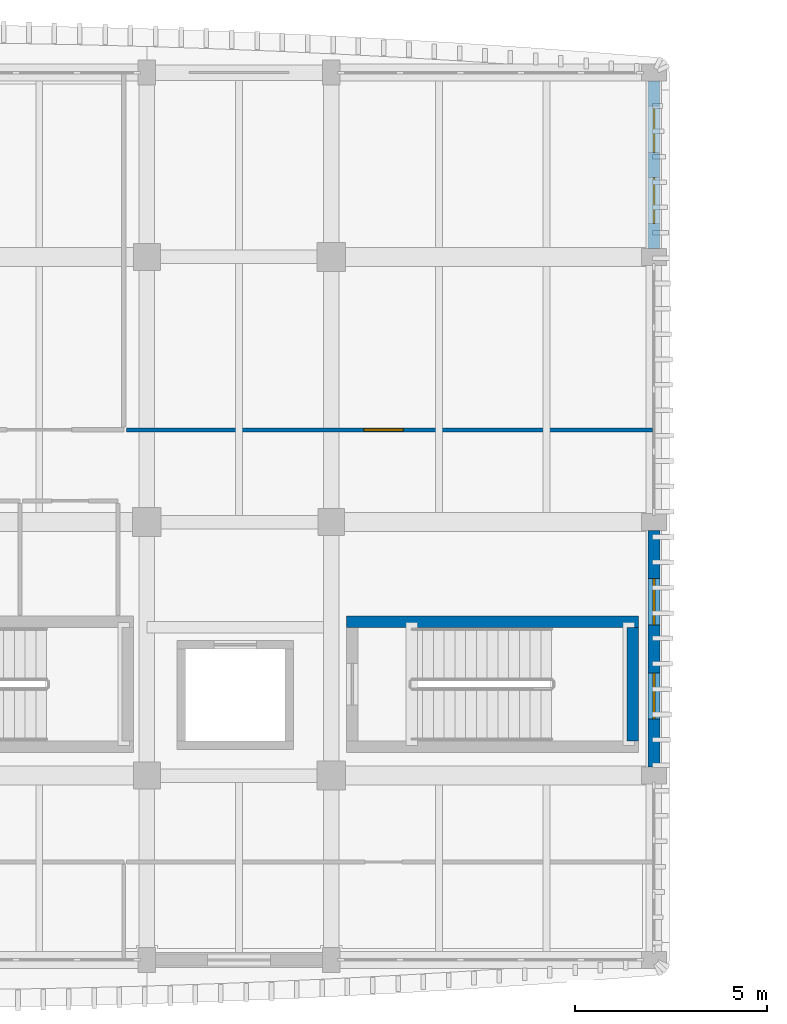
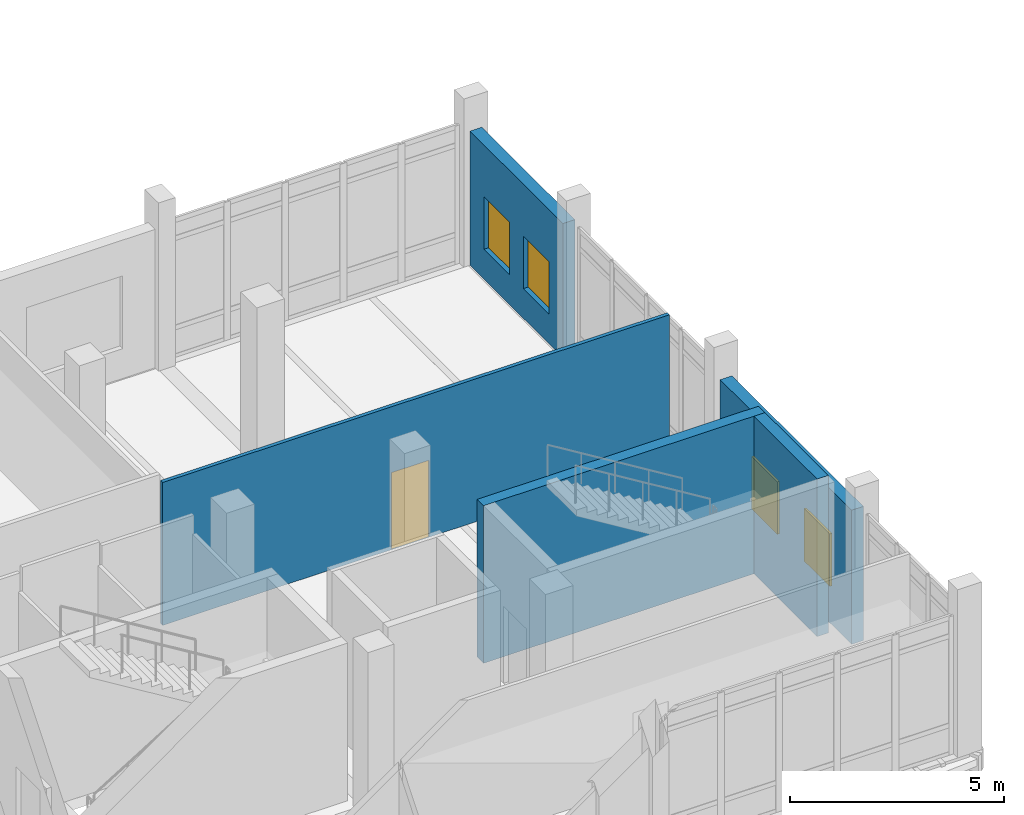
# One storey, part 22 of 39: 5 walls, 4 windows, 1 door, 5 openings.
"""IFC4 building model written with IfcOpenShell, lengths in metres."""

from ifc_helpers import new_model, si_unit, direction, frame, frame_2d, origin, place, context, subcontext, project, spatial, rectangle, extrude, material, layer, layer_set, type_object, element, fill, save


model = new_model("IFC4")

# Units and contexts
model_context = context("Model", 3, precision=1e-05, world=origin(), true_north=direction((0.0, 1.0)))
body_context = subcontext(model_context, "Body", "Model", "MODEL_VIEW")
ifc_project = project(units=[si_unit("LENGTHUNIT", "METRE"), si_unit("AREAUNIT", "SQUARE_METRE"), si_unit("VOLUMEUNIT", "CUBIC_METRE"), si_unit("PLANEANGLEUNIT", "RADIAN"), si_unit("MASSUNIT", "GRAM", prefix="KILO")], contexts=[model_context])

# Site, building, storey
site_placement = place(None, origin())
site = spatial("IfcSite", under=ifc_project, at=site_placement, CompositionType="ELEMENT")
building_placement = place(site_placement, origin())
building = spatial("IfcBuilding", under=site, at=building_placement, Name="Dornvale Research Institute", CompositionType="ELEMENT")
storey_placement = place(building_placement, frame((0.0, 0.0, 24.60009765625)))
storey = spatial("IfcBuildingStorey", under=building, at=storey_placement, Name="L05", CompositionType="ELEMENT", Elevation=24.60009765625)

# Wall, opening, door
ifc_material_1 = material(Name="Acoustic Insulated Double-Stud Laboratory Partition")
ifc_layer_1 = layer(ifc_material_1, 0.10009765625)
ifc_layer_set_1 = layer_set([ifc_layer_1], Name="Acoustic Insulated Double-Stud Laboratory Partition")
wall_type_1 = type_object("IfcWallType", Name="Partition_Office_100", PredefinedType="PARTITIONING", material=ifc_layer_set_1)
wall_1_placement = place(storey_placement, frame((27.675048828125, 112.800048828125, 0.0), z_axis=(0.0, 0.0, 1.0), x_axis=(1.0, 0.0, 0.0)))
wall_1 = element("IfcWall", 1, at=wall_1_placement, inside=storey, type_object=wall_type_1, Name="L05 V5 interior partition #466", PredefinedType="PARTITIONING", context=body_context, shape_type="SweptSolid", body=[
    extrude(rectangle(XDim=13.68505859375, YDim=0.10009765625, at=frame_2d((6.842529296875, 0.0))), origin(), (0.0, 0.0, 1.0), 4.079833984375),
])
opening_1_placement = place(wall_1_placement, frame((6.175048828125, 0.0, 0.0)))
opening_1 = element("IfcOpeningElement", 2, at=opening_1_placement, cuts=wall_1, Name="Opening ID-20", PredefinedType="OPENING", context=body_context, shape_type="SweptSolid", body=[
    extrude(rectangle(XDim=1.02001953125, YDim=2.199951171875, at=frame_2d((0.510009765625, 1.10009765625))), frame((0.0, 0.06494140625, 0.0), z_axis=(0.0, -1.0, 0.0), x_axis=(1.0, 0.0, 0.0)), (0.0, 0.0, 1.0), 0.130126953125),
])
ifc_material_2 = material(Name="Phenolic-Faced Solid-Core Laboratory Door Assembly")
door_type = type_object("IfcDoorType", Name="Door_WriteUp_1020x2200", OperationType="SINGLE_SWING_LEFT", PredefinedType="DOOR", material=ifc_material_2)
door_placement = place(opening_1_placement, origin())
door = element("IfcDoor", 3, at=door_placement, inside=storey, type_object=door_type, Name="L05 Researcher Write-Up Studio L05 door #190", OperationType="SINGLE_SWING_LEFT", OverallHeight=2.199951171875, OverallWidth=1.02001953125, PredefinedType="DOOR", context=body_context, shape_type="SweptSolid", body=[
    extrude(rectangle(XDim=1.02001953125, YDim=2.199951171875, at=frame_2d((0.510009765625, 1.10009765625))), frame((0.0, 0.02490234375, 0.0), z_axis=(0.0, -1.0, 0.0), x_axis=(1.0, 0.0, 0.0)), (0.0, 0.0, 1.0), 0.050048828125),
])
fill(opening_1, door)

# Walls
ifc_material_3 = material(Name="Concrete f'c 50 MPa (C40/50)", Category="concrete")
ifc_layer_2 = layer(ifc_material_3, 0.300048828125)
ifc_layer_set_2 = layer_set([ifc_layer_2], Name="Concrete f'c 50 MPa (C40/50)")
wall_type_2 = type_object("IfcWallType", Name="ShearWall_Core_300", PredefinedType="SHEAR", material=ifc_layer_set_2)
wall_2_placement = place(storey_placement, frame((33.39990234375, 107.81005859375, 0.0), z_axis=(0.0, 0.0, 1.0), x_axis=(1.0, 0.0, 0.0)))
element("IfcWall", 4, at=wall_2_placement, inside=storey, type_object=wall_type_2, Name="L05 ST-2 shaft shear wall north", PredefinedType="SHEAR", context=body_context, shape_type="SweptSolid", body=[
    extrude(rectangle(XDim=7.60009765625, YDim=0.300048828125, at=frame_2d((3.800048828125, 0.0))), origin(), (0.0, 0.0, 1.0), 4.5),
])
wall_3_placement = place(storey_placement, frame((40.85009765625, 104.699951171875, 0.0), z_axis=(0.0, 0.0, 1.0), x_axis=(0.0, 1.0, 0.0)))
element("IfcWall", 5, at=wall_3_placement, inside=storey, type_object=wall_type_2, Name="L05 ST-2 shaft shear wall east", PredefinedType="SHEAR", context=body_context, shape_type="SweptSolid", body=[
    extrude(rectangle(XDim=2.9599609375, YDim=0.300048828125, at=frame_2d((1.47998046875, 0.0))), origin(), (0.0, 0.0, 1.0), 4.5),
])

# Wall, openings, windows
ifc_material_4 = material(Name="Catalan Pressed Brick and Insulated Cavity Assembly", Category="masonry")
ifc_layer_3 = layer(ifc_material_4, 0.320068359375)
ifc_layer_set_3 = layer_set([ifc_layer_3], Name="Catalan Pressed Brick and Insulated Cavity Assembly")
wall_type_3 = type_object("IfcWallType", Name="StandardWall_BrickCavity_320", PredefinedType="STANDARD", material=ifc_layer_set_3)
wall_4_placement = place(storey_placement, frame((41.39990234375, 121.875, 0.0), z_axis=(0.0, 0.0, 1.0), x_axis=(0.0, -1.0, 0.0)))
wall_4 = element("IfcWall", 6, at=wall_4_placement, inside=storey, type_object=wall_type_3, Name="L05 V5 east exterior wall #364", PredefinedType="STANDARD", context=body_context, shape_type="SweptSolid", body=[
    extrude(rectangle(XDim=4.35009765625, YDim=0.320068359375, at=frame_2d((2.175048828125, 0.0))), origin(), (0.0, 0.0, 1.0), 3.829833984375),
])
opening_2_placement = place(wall_4_placement, frame((0.64990234375, 0.0, 0.85009765625)))
opening_2 = element("IfcOpeningElement", 7, at=opening_2_placement, cuts=wall_4, Name="Opening W-01", PredefinedType="OPENING", context=body_context, shape_type="SweptSolid", body=[
    extrude(rectangle(XDim=1.199951171875, YDim=1.5, at=frame_2d((0.60009765625, 0.75))), frame((0.0, 0.175048828125, 0.0), z_axis=(0.0, -1.0, 0.0), x_axis=(1.0, 0.0, 0.0)), (0.0, 0.0, 1.0), 0.35009765625),
])
opening_3_placement = place(wall_4_placement, frame((2.5, 0.0, 0.85009765625)))
opening_3 = element("IfcOpeningElement", 8, at=opening_3_placement, cuts=wall_4, Name="Opening W-01", PredefinedType="OPENING", context=body_context, shape_type="SweptSolid", body=[
    extrude(rectangle(XDim=1.199951171875, YDim=1.5, at=frame_2d((0.60009765625, 0.75))), frame((0.0, 0.175048828125, 0.0), z_axis=(0.0, -1.0, 0.0), x_axis=(1.0, 0.0, 0.0)), (0.0, 0.0, 1.0), 0.35009765625),
])
ifc_material_5 = material(Name="Low-E Argon Double Insulating Glazing Unit", Category="glass")
window_type = type_object("IfcWindowType", Name="Window_Alu_1200x1500_01", PartitioningType="SINGLE_PANEL", PredefinedType="WINDOW", material=ifc_material_5)
window_1_placement = place(opening_2_placement, origin())
window_1 = element("IfcWindow", 9, at=window_1_placement, inside=storey, type_object=window_type, Name="L05 V5 facade window W-01 #485", OverallHeight=1.5, OverallWidth=1.199951171875, PartitioningType="SINGLE_PANEL", PredefinedType="WINDOW", context=body_context, shape_type="SweptSolid", body=[
    extrude(rectangle(XDim=1.199951171875, YDim=1.5, at=frame_2d((0.60009765625, 0.75))), frame((0.0, 0.030029296875, 0.0), z_axis=(0.0, -1.0, 0.0), x_axis=(1.0, 0.0, 0.0)), (0.0, 0.0, 1.0), 0.06005859375),
])
fill(opening_2, window_1)
window_2_placement = place(opening_3_placement, origin())
window_2 = element("IfcWindow", 10, at=window_2_placement, inside=storey, type_object=window_type, Name="L05 V5 facade window W-01 #486", OverallHeight=1.5, OverallWidth=1.199951171875, PartitioningType="SINGLE_PANEL", PredefinedType="WINDOW", context=body_context, shape_type="SweptSolid", body=[
    extrude(rectangle(XDim=1.199951171875, YDim=1.5, at=frame_2d((0.60009765625, 0.75))), frame((0.0, 0.030029296875, 0.0), z_axis=(0.0, -1.0, 0.0), x_axis=(1.0, 0.0, 0.0)), (0.0, 0.0, 1.0), 0.06005859375),
])
fill(opening_3, window_2)

wall_5_placement = place(storey_placement, frame((41.39990234375, 110.175048828125, 0.0), z_axis=(0.0, 0.0, 1.0), x_axis=(0.0, -1.0, 0.0)))
wall_5 = element("IfcWall", 11, at=wall_5_placement, inside=storey, type_object=wall_type_3, Name="L05 V5 east exterior wall #365", PredefinedType="STANDARD", context=body_context, shape_type="SweptSolid", body=[
    extrude(rectangle(XDim=6.150146484375, YDim=0.320068359375, at=frame_2d((3.0751953125, 0.0))), origin(), (0.0, 0.0, 1.0), 3.829833984375),
])
opening_4_placement = place(wall_5_placement, frame((1.25, 0.0, 0.85009765625)))
opening_4 = element("IfcOpeningElement", 12, at=opening_4_placement, cuts=wall_5, Name="Opening W-01", PredefinedType="OPENING", context=body_context, shape_type="SweptSolid", body=[
    extrude(rectangle(XDim=1.199951171875, YDim=1.5, at=frame_2d((0.60009765625, 0.75))), frame((0.0, 0.175048828125, 0.0), z_axis=(0.0, -1.0, 0.0), x_axis=(1.0, 0.0, 0.0)), (0.0, 0.0, 1.0), 0.35009765625),
])
opening_5_placement = place(wall_5_placement, frame((3.699951171875, 0.0, 0.85009765625)))
opening_5 = element("IfcOpeningElement", 13, at=opening_5_placement, cuts=wall_5, Name="Opening W-01", PredefinedType="OPENING", context=body_context, shape_type="SweptSolid", body=[
    extrude(rectangle(XDim=1.199951171875, YDim=1.5, at=frame_2d((0.60009765625, 0.75))), frame((0.0, 0.175048828125, 0.0), z_axis=(0.0, -1.0, 0.0), x_axis=(1.0, 0.0, 0.0)), (0.0, 0.0, 1.0), 0.35009765625),
])
window_3_placement = place(opening_4_placement, origin())
window_3 = element("IfcWindow", 14, at=window_3_placement, inside=storey, type_object=window_type, Name="L05 V5 facade window W-01 #487", OverallHeight=1.5, OverallWidth=1.199951171875, PartitioningType="SINGLE_PANEL", PredefinedType="WINDOW", context=body_context, shape_type="SweptSolid", body=[
    extrude(rectangle(XDim=1.199951171875, YDim=1.5, at=frame_2d((0.60009765625, 0.75))), frame((0.0, 0.030029296875, 0.0), z_axis=(0.0, -1.0, 0.0), x_axis=(1.0, 0.0, 0.0)), (0.0, 0.0, 1.0), 0.06005859375),
])
fill(opening_4, window_3)
window_4_placement = place(opening_5_placement, origin())
window_4 = element("IfcWindow", 15, at=window_4_placement, inside=storey, type_object=window_type, Name="L05 V5 facade window W-01 #488", OverallHeight=1.5, OverallWidth=1.199951171875, PartitioningType="SINGLE_PANEL", PredefinedType="WINDOW", context=body_context, shape_type="SweptSolid", body=[
    extrude(rectangle(XDim=1.199951171875, YDim=1.5, at=frame_2d((0.60009765625, 0.75))), frame((0.0, 0.030029296875, 0.0), z_axis=(0.0, -1.0, 0.0), x_axis=(1.0, 0.0, 0.0)), (0.0, 0.0, 1.0), 0.06005859375),
])
fill(opening_5, window_4)

save(model, "model.ifc")
